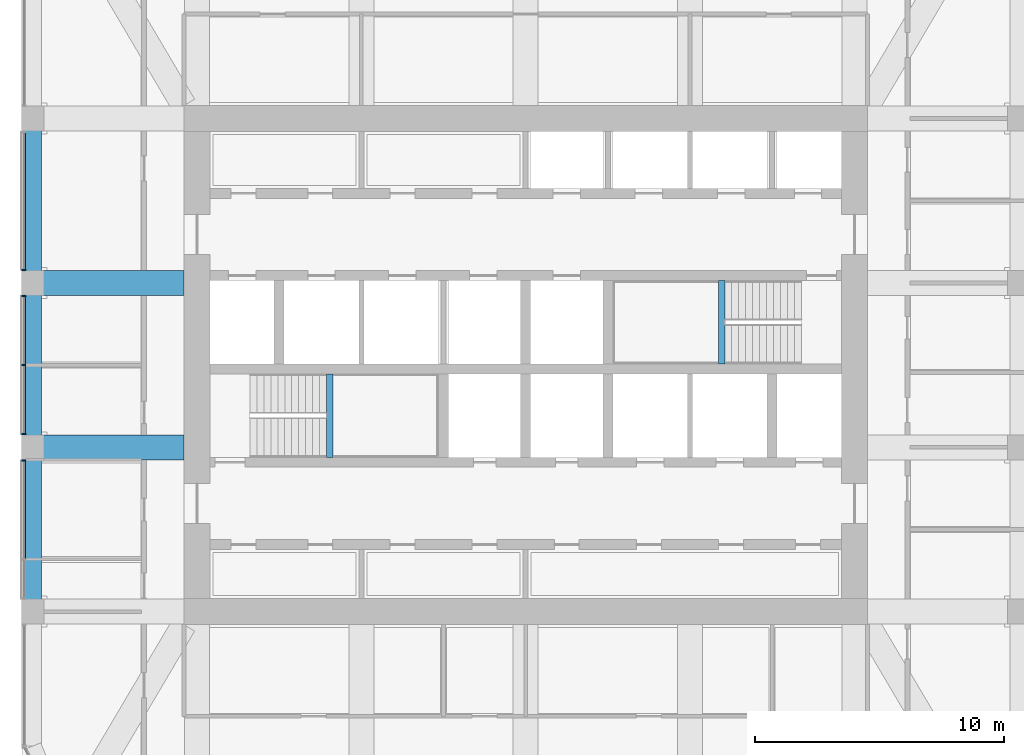
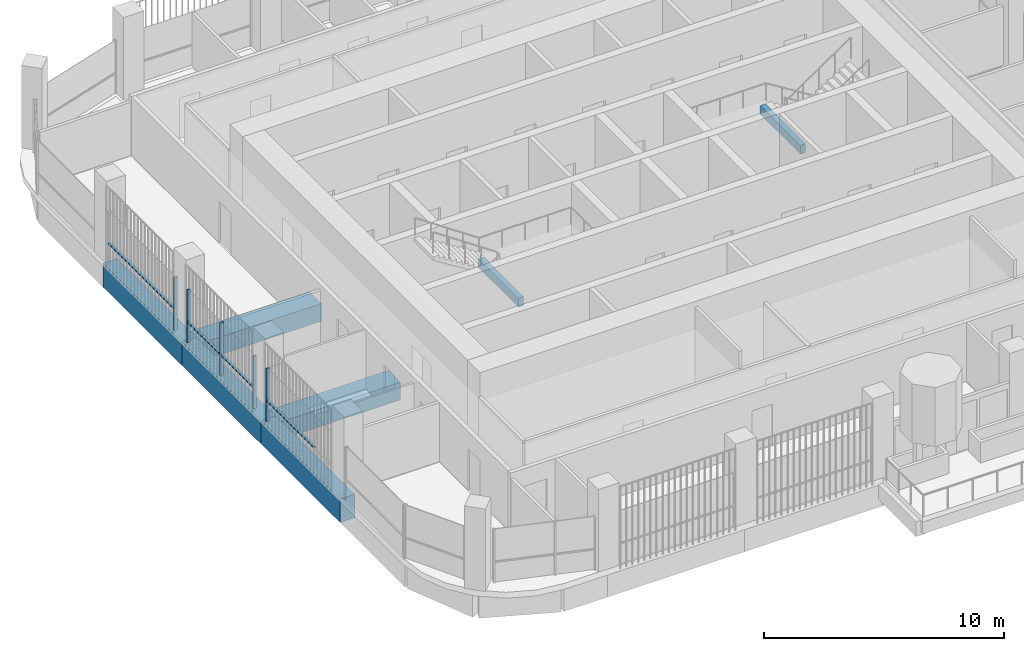
# One storey, part 4 of 21: 9 members, 7 beams, 3 elements without a shape of their own.
"""IFC4 building model written with IfcOpenShell, lengths in metres."""

from ifc_helpers import new_model, si_unit, direction, frame, origin, origin_2d, place, context, subcontext, project, spatial, rectangle, extrude, material, material_profile, profile_set, type_object, element, aggregate, save


model = new_model("IFC4")

# Units and contexts
model_context = context("Model", 3, precision=1e-05, world=origin(), true_north=direction((0.0, 1.0)))
body_context = subcontext(model_context, "Body", "Model", "MODEL_VIEW")
ifc_project = project(units=[si_unit("LENGTHUNIT", "METRE"), si_unit("AREAUNIT", "SQUARE_METRE"), si_unit("VOLUMEUNIT", "CUBIC_METRE"), si_unit("PLANEANGLEUNIT", "RADIAN"), si_unit("MASSUNIT", "GRAM", prefix="KILO")], contexts=[model_context])

# Site, building, storey
site_placement = place(None, origin())
site = spatial("IfcSite", under=ifc_project, at=site_placement, CompositionType="ELEMENT")
building_placement = place(site_placement, origin())
building = spatial("IfcBuilding", under=site, at=building_placement, Name="Cobogo Forest Laboratory Tower", CompositionType="ELEMENT")
storey_placement = place(building_placement, frame((0.0, 0.0, 275.39990234375)))
storey = spatial("IfcBuildingStorey", under=building, at=storey_placement, Name="L63", CompositionType="ELEMENT", Elevation=275.39990234375)

# Beams
ifc_material_1 = material(Name="Concrete HA-40 (C40/50)", Category="concrete")
ifc_material_profile_1 = material_profile(ifc_material_1, rectangle(XDim=0.25, YDim=0.449951171875, at=origin_2d()), Name="RC 250x450")
ifc_profile_set_1 = profile_set([ifc_material_profile_1], Name="Concrete HA-40 (C40/50)")
beam_type_1 = type_object("IfcBeamType", Name="LB1 landing beam 250x450", PredefinedType="BEAM", material=ifc_profile_set_1)
for number, where, z_axis, x_axis, name in (
    (1, (18.530029296875, 19.39990234375, 1.675048828125), (0.0, 1.0, 0.0), (-1.0, 0.0, 0.0), "Landing beam ST1 L63"),
    (2, (34.27001953125, 23.14990234375, 1.675048828125), (0.0, 1.0, 0.0), (-1.0, 0.0, 0.0), "Landing beam ST2 L63"),
):
    element("IfcBeam", number, at=place(storey_placement, frame(where, z_axis=z_axis, x_axis=x_axis)), inside=storey, type_object=beam_type_1, Name=name, PredefinedType="BEAM", context=body_context, shape_type="SweptSolid", body=[
        extrude(rectangle(XDim=0.25, YDim=0.449951171875, at=origin_2d()), origin(), (0.0, 0.0, 1.0), 3.35009765625),
    ])

# Curtain wall, member
ifc_material_2 = material(Name="Aluminium curtain wall", Category="aluminium")
curtain_wall_type = type_object("IfcCurtainWallType", Name="CW-2 unitised curtain wall, solar control glazing, laboratory floors zones C and D", PredefinedType="USERDEFINED", material=ifc_material_2)
curtain_wall_1_placement = place(storey_placement, origin())
curtain_wall_1 = element("IfcCurtainWall", 3, at=curtain_wall_1_placement, inside=storey, type_object=curtain_wall_type, Name="Curtain wall 21 L63", ObjectType="UNITISED CURTAIN WALL", PredefinedType="USERDEFINED")
ifc_material_3 = material(Name="Aluminium mullion", Category="aluminium")
ifc_material_profile_2 = material_profile(ifc_material_3, rectangle(XDim=0.06005859375, YDim=0.159912109375, at=origin_2d()), Name="AL 60x160")
ifc_profile_set_2 = profile_set([ifc_material_profile_2], Name="Aluminium mullion")
member_type_1 = type_object("IfcMemberType", Name="MU-1 aluminium mullion 60x160", PredefinedType="MULLION", material=ifc_profile_set_2)
member_1_placement = place(storey_placement, frame((6.25, 26.929931640625, 0.0), z_axis=(0.0, 0.0, 1.0), x_axis=(0.0, -1.0, 0.0)))
member_1 = element("IfcMember", 4, at=member_1_placement, type_object=member_type_1, Name="CW-2 mullion 2", PredefinedType="MULLION", context=body_context, shape_type="SweptSolid", body=[
    extrude(rectangle(XDim=0.06005859375, YDim=0.159912109375, at=origin_2d()), origin(), (0.0, 0.0, 1.0), 2.7001953125),
])

# Curtain wall, members
curtain_wall_2_placement = place(storey_placement, origin())
curtain_wall_2 = element("IfcCurtainWall", 5, at=curtain_wall_2_placement, inside=storey, type_object=curtain_wall_type, Name="Curtain wall 22 L63", ObjectType="UNITISED CURTAIN WALL", PredefinedType="USERDEFINED")
member_2_placement = place(storey_placement, frame((6.25, 25.8701171875, 0.0), z_axis=(0.0, 0.0, 1.0), x_axis=(0.0, -1.0, 0.0)))
member_2 = element("IfcMember", 6, at=member_2_placement, type_object=member_type_1, Name="CW-2 mullion 1", PredefinedType="MULLION", context=body_context, shape_type="SweptSolid", body=[
    extrude(rectangle(XDim=0.06005859375, YDim=0.159912109375, at=origin_2d()), origin(), (0.0, 0.0, 1.0), 2.7001953125),
])
member_3_placement = place(storey_placement, frame((6.25, 23.10009765625, 0.0), z_axis=(0.0, 0.0, 1.0), x_axis=(0.0, -1.0, 0.0)))
member_3 = element("IfcMember", 7, at=member_3_placement, type_object=member_type_1, Name="CW-2 mullion 2", PredefinedType="MULLION", context=body_context, shape_type="SweptSolid", body=[
    extrude(rectangle(XDim=0.06005859375, YDim=0.159912109375, at=origin_2d()), origin(), (0.0, 0.0, 1.0), 2.7001953125),
])
member_4_placement = place(storey_placement, frame((6.25, 20.330078125, 0.0), z_axis=(0.0, 0.0, 1.0), x_axis=(0.0, -1.0, 0.0)))
member_4 = element("IfcMember", 8, at=member_4_placement, type_object=member_type_1, Name="CW-2 mullion 3", PredefinedType="MULLION", context=body_context, shape_type="SweptSolid", body=[
    extrude(rectangle(XDim=0.06005859375, YDim=0.159912109375, at=origin_2d()), origin(), (0.0, 0.0, 1.0), 2.7001953125),
])

# Curtain wall, member
curtain_wall_3_placement = place(storey_placement, origin())
curtain_wall_3 = element("IfcCurtainWall", 9, at=curtain_wall_3_placement, inside=storey, type_object=curtain_wall_type, Name="Curtain wall 23 L63", ObjectType="UNITISED CURTAIN WALL", PredefinedType="USERDEFINED")
member_5_placement = place(storey_placement, frame((6.25, 19.27001953125, 0.0), z_axis=(0.0, 0.0, 1.0), x_axis=(0.0, -1.0, 0.0)))
member_5 = element("IfcMember", 10, at=member_5_placement, type_object=member_type_1, Name="CW-2 mullion 1", PredefinedType="MULLION", context=body_context, shape_type="SweptSolid", body=[
    extrude(rectangle(XDim=0.06005859375, YDim=0.159912109375, at=origin_2d()), origin(), (0.0, 0.0, 1.0), 2.7001953125),
])

# Beams
ifc_material_profile_3 = material_profile(ifc_material_1, rectangle(XDim=1.0, YDim=0.89990234375, at=origin_2d()), Name="RC 1000x900")
ifc_profile_set_3 = profile_set([ifc_material_profile_3], Name="Concrete HA-40 (C40/50)")
beam_type_2 = type_object("IfcBeamType", Name="Office floor wide beam 1000x900", PredefinedType="BEAM", material=ifc_profile_set_3)
for number, where, z_axis, x_axis, name in (
    (11, (12.675048828125, 19.800048828125, -0.75), (-1.0, 0.0, 0.0), (0.0, -1.0, 0.0), "RB2 R-D-W L63"),
    (12, (12.675048828125, 26.39990234375, -0.75), (-1.0, 0.0, 0.0), (0.0, -1.0, 0.0), "RB2 R-E-W L63"),
):
    element("IfcBeam", number, at=place(storey_placement, frame(where, z_axis=z_axis, x_axis=x_axis)), inside=storey, type_object=beam_type_2, Name=name, PredefinedType="BEAM", context=body_context, shape_type="SweptSolid", body=[
        extrude(rectangle(XDim=1.0, YDim=0.89990234375, at=origin_2d()), origin(), (0.0, 0.0, 1.0), 6.074951171875),
    ])
ifc_material_profile_4 = material_profile(ifc_material_1, rectangle(XDim=0.699951171875, YDim=1.199951171875, at=origin_2d()), Name="RC 700x1200")
ifc_profile_set_4 = profile_set([ifc_material_profile_4], Name="Concrete HA-40 (C40/50)")
beam_type_3 = type_object("IfcBeamType", Name="Perimeter edge beam 700x1200", PredefinedType="BEAM", material=ifc_profile_set_4)
beam_1_placement = place(storey_placement, frame((6.60009765625, 13.199951171875, -0.89990234375), z_axis=(0.0, 1.0, 0.0), x_axis=(-1.0, 0.0, 0.0)))
element("IfcBeam", 13, at=beam_1_placement, inside=storey, type_object=beam_type_3, Name="EB1 E-W1 L63", PredefinedType="BEAM", context=body_context, shape_type="SweptSolid", body=[
    extrude(rectangle(XDim=0.699951171875, YDim=1.199951171875, at=origin_2d()), origin(), (0.0, 0.0, 1.0), 6.60009765625),
])
beam_2_placement = place(storey_placement, frame((6.60009765625, 19.800048828125, -0.89990234375), z_axis=(0.0, 1.0, 0.0), x_axis=(-1.0, 0.0, 0.0)))
element("IfcBeam", 14, at=beam_2_placement, inside=storey, type_object=beam_type_3, Name="EB1 E-W2 L63", PredefinedType="BEAM", context=body_context, shape_type="SweptSolid", body=[
    extrude(rectangle(XDim=0.699951171875, YDim=1.199951171875, at=origin_2d()), origin(), (0.0, 0.0, 1.0), 6.599853515625),
])
beam_3_placement = place(storey_placement, frame((6.60009765625, 26.39990234375, -0.89990234375), z_axis=(0.0, 1.0, 0.0), x_axis=(-1.0, 0.0, 0.0)))
element("IfcBeam", 15, at=beam_3_placement, inside=storey, type_object=beam_type_3, Name="EB1 E-W3 L63", PredefinedType="BEAM", context=body_context, shape_type="SweptSolid", body=[
    extrude(rectangle(XDim=0.699951171875, YDim=1.199951171875, at=origin_2d()), origin(), (0.0, 0.0, 1.0), 6.60009765625),
])

# Member
ifc_material_4 = material(Name="Aluminium transom", Category="aluminium")
ifc_material_profile_5 = material_profile(ifc_material_4, rectangle(XDim=0.1201171875, YDim=0.06005859375, at=origin_2d()), Name="AL 60x120")
ifc_profile_set_5 = profile_set([ifc_material_profile_5], Name="Aluminium transom")
member_type_2 = type_object("IfcMemberType", Name="TR-1 aluminium transom 60x120", PredefinedType="USERDEFINED", material=ifc_profile_set_5)
member_6_placement = place(storey_placement, frame((6.25, 32.43994140625, 1.050048828125), z_axis=(0.0, -1.0, 0.0), x_axis=(1.0, 0.0, 0.0)))
member_6 = element("IfcMember", 16, at=member_6_placement, type_object=member_type_2, Name="CW-2 transom 1.1", ObjectType="TRANSOM", PredefinedType="USERDEFINED", context=body_context, shape_type="SweptSolid", body=[
    extrude(rectangle(XDim=0.1201171875, YDim=0.06005859375, at=origin_2d()), origin(), (0.0, 0.0, 1.0), 5.47998046875),
])

aggregate(curtain_wall_1, [member_1, member_6])

member_7_placement = place(storey_placement, frame((6.25, 25.840087890625, 1.050048828125), z_axis=(0.0, -1.0, 0.0), x_axis=(1.0, 0.0, 0.0)))
member_7 = element("IfcMember", 17, at=member_7_placement, type_object=member_type_2, Name="CW-2 transom 1.1", ObjectType="TRANSOM", PredefinedType="USERDEFINED", context=body_context, shape_type="SweptSolid", body=[
    extrude(rectangle(XDim=0.1201171875, YDim=0.06005859375, at=origin_2d()), origin(), (0.0, 0.0, 1.0), 2.710205078125),
])

member_8_placement = place(storey_placement, frame((6.25, 23.070068359375, 1.050048828125), z_axis=(0.0, -1.0, 0.0), x_axis=(1.0, 0.0, 0.0)))
member_8 = element("IfcMember", 18, at=member_8_placement, type_object=member_type_2, Name="CW-2 transom 2.1", ObjectType="TRANSOM", PredefinedType="USERDEFINED", context=body_context, shape_type="SweptSolid", body=[
    extrude(rectangle(XDim=0.1201171875, YDim=0.06005859375, at=origin_2d()), origin(), (0.0, 0.0, 1.0), 2.7099609375),
])

aggregate(curtain_wall_2, [member_2, member_3, member_4, member_7, member_8])

member_9_placement = place(storey_placement, frame((6.25, 19.239990234375, 1.050048828125), z_axis=(0.0, -1.0, 0.0), x_axis=(1.0, 0.0, 0.0)))
member_9 = element("IfcMember", 19, at=member_9_placement, type_object=member_type_2, Name="CW-2 transom 1.1", ObjectType="TRANSOM", PredefinedType="USERDEFINED", context=body_context, shape_type="SweptSolid", body=[
    extrude(rectangle(XDim=0.1201171875, YDim=0.06005859375, at=origin_2d()), origin(), (0.0, 0.0, 1.0), 3.909912109375),
])

aggregate(curtain_wall_3, [member_5, member_9])

save(model, "model.ifc")
